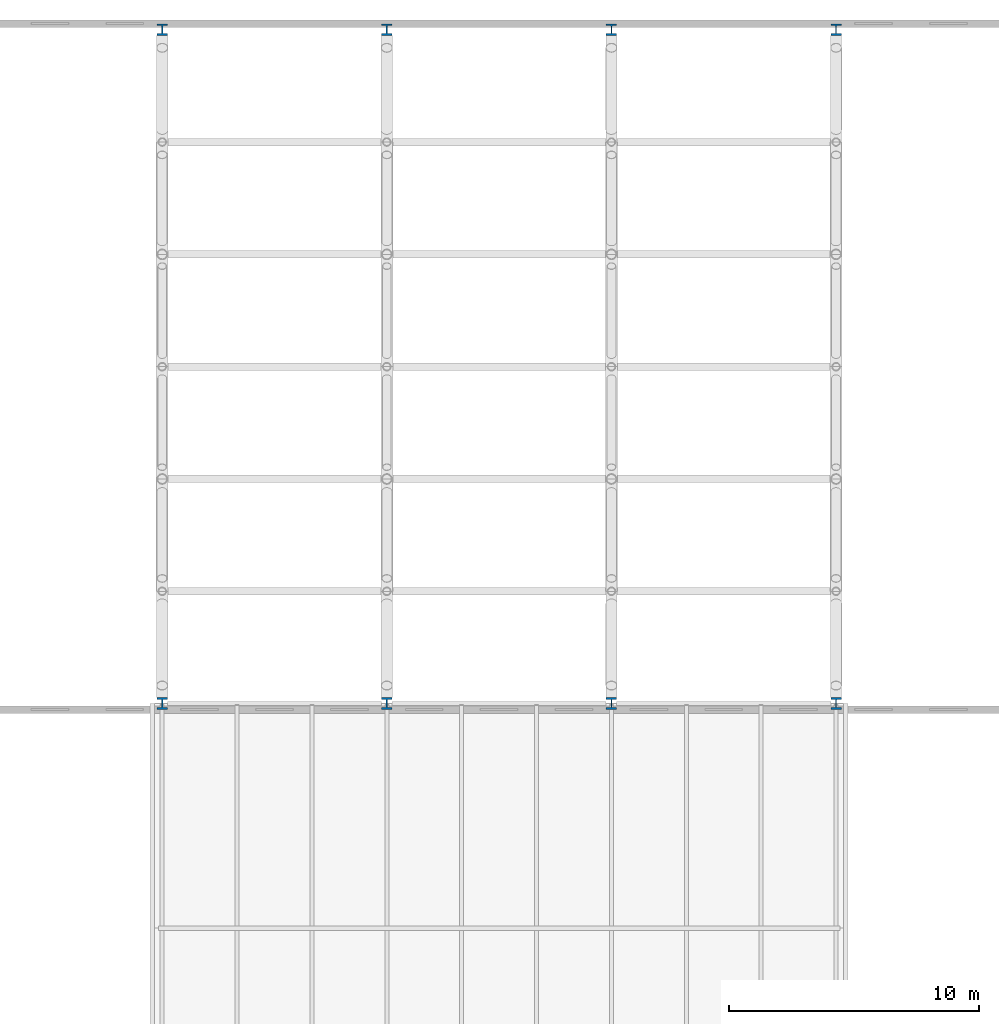
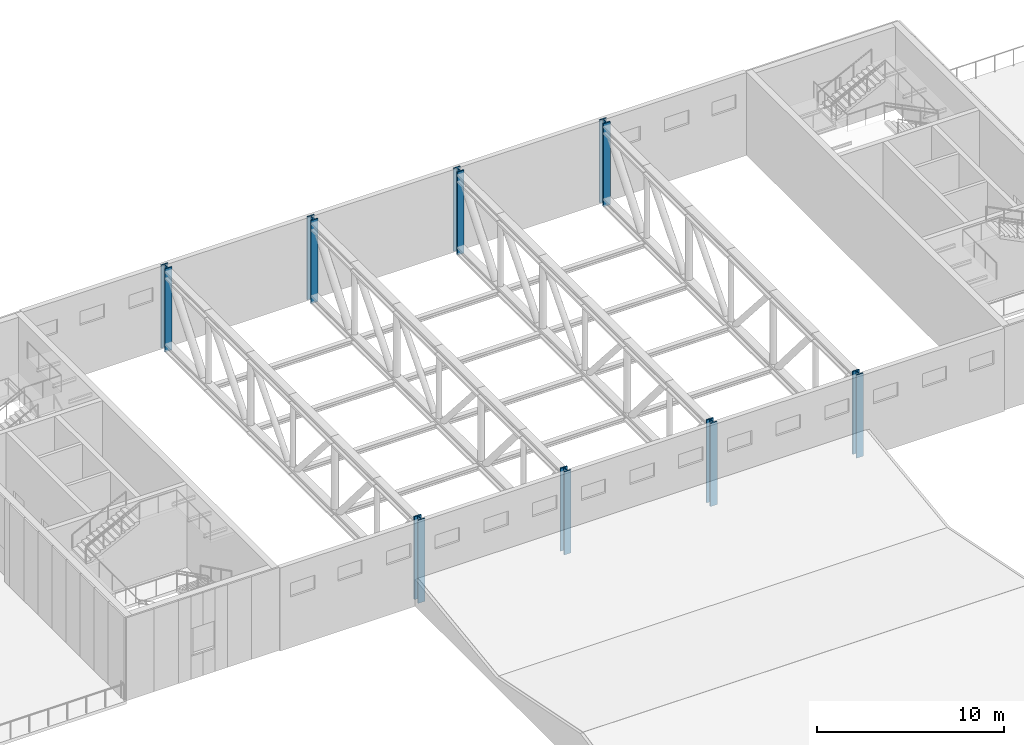
# One storey, part 1 of 29: 8 columns.
"""IFC4 building model written with IfcOpenShell, lengths in metres."""

from ifc_helpers import new_model, si_unit, direction, frame, origin, origin_2d, place, context, subcontext, project, spatial, i_section, extrude, material, material_profile, profile_set, type_object, element, save


model = new_model("IFC4")

# Units and contexts
model_context = context("Model", 3, precision=1e-05, world=origin(), true_north=direction((0.0, 1.0)))
body_context = subcontext(model_context, "Body", "Model", "MODEL_VIEW")
ifc_project = project(units=[si_unit("LENGTHUNIT", "METRE"), si_unit("AREAUNIT", "SQUARE_METRE"), si_unit("VOLUMEUNIT", "CUBIC_METRE"), si_unit("PLANEANGLEUNIT", "RADIAN"), si_unit("MASSUNIT", "GRAM", prefix="KILO")], contexts=[model_context])

# Site, building, storey
site_placement = place(None, origin())
site = spatial("IfcSite", under=ifc_project, at=site_placement, CompositionType="ELEMENT")
building_placement = place(site_placement, origin())
building = spatial("IfcBuilding", under=site, at=building_placement, Name="Azimuth Sports and Learning Centre", CompositionType="ELEMENT")
storey_placement = place(building_placement, frame((0.0, 0.0, 27.0)))
storey = spatial("IfcBuildingStorey", under=building, at=storey_placement, Name="L05", CompositionType="ELEMENT", Elevation=27.0)

# Columns
ifc_material = material(Name="Steel S460", Category="steel")
ifc_material_profile = material_profile(ifc_material, i_section(OverallWidth=0.424072265625, OverallDepth=0.47412109375, WebThickness=0.047607421875, FlangeThickness=0.0771484375, FilletRadius=0.014892578125, at=origin_2d()), Name="HD 400x634")
ifc_profile_set = profile_set([ifc_material_profile], Name="Steel S460")
column_type = type_object("IfcColumnType", Name="Column HD 400x634", PredefinedType="COLUMN", material=ifc_profile_set)
for number, where, z_axis, x_axis, name in (
    (1, (72.0, 90.0, 0.0), (0.0, 0.0, 1.0), (1.0, 0.0, 0.0), "Hall column 9L L05"),
    (2, (81.0, 90.0, 0.0), (0.0, 0.0, 1.0), (1.0, 0.0, 0.0), "Hall column 10L L05"),
    (3, (90.0, 90.0, 0.0), (0.0, 0.0, 1.0), (1.0, 0.0, 0.0), "Hall column 11L L05"),
    (4, (99.0, 90.0, 0.0), (0.0, 0.0, 1.0), (1.0, 0.0, 0.0), "Hall column 12L L05"),
    (5, (72.0, 117.0, 0.0), (0.0, 0.0, 1.0), (1.0, 0.0, 0.0), "Hall column 9P L05"),
    (6, (81.0, 117.0, 0.0), (0.0, 0.0, 1.0), (1.0, 0.0, 0.0), "Hall column 10P L05"),
    (7, (90.0, 117.0, 0.0), (0.0, 0.0, 1.0), (1.0, 0.0, 0.0), "Hall column 11P L05"),
    (8, (99.0, 117.0, 0.0), (0.0, 0.0, 1.0), (1.0, 0.0, 0.0), "Hall column 12P L05"),
):
    element("IfcColumn", number, at=place(storey_placement, frame(where, z_axis=z_axis, x_axis=x_axis)), inside=storey, type_object=column_type, Name=name, PredefinedType="COLUMN", context=body_context, shape_type="SweptSolid", body=[
        extrude(i_section(OverallWidth=0.424072265625, OverallDepth=0.47412109375, WebThickness=0.047607421875, FlangeThickness=0.0771484375, FilletRadius=0.014892578125, at=origin_2d()), origin(), (0.0, 0.0, 1.0), 5.39990234375),
    ])

save(model, "model.ifc")
